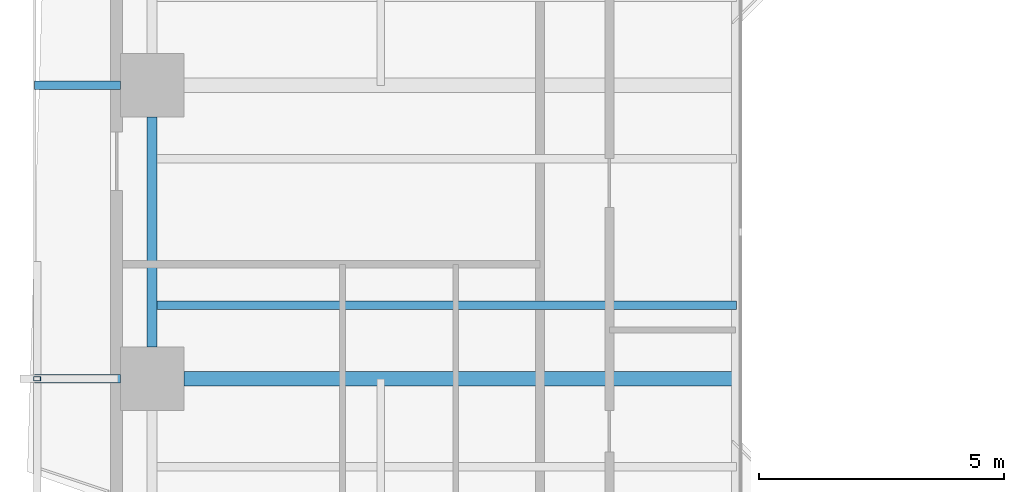
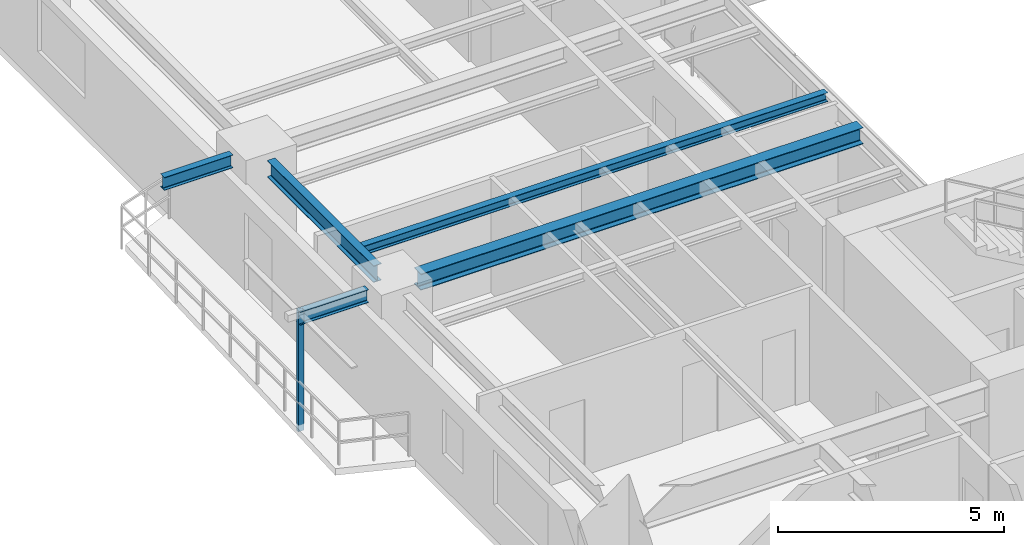
# One storey, part 3 of 23: 5 beams, 1 member.
"""IFC4 building model written with IfcOpenShell, lengths in metres."""

from ifc_helpers import new_model, si_unit, direction, frame, origin, origin_2d, place, context, subcontext, project, spatial, hollow_rectangle, i_section, extrude, source, transform, mapped, material, material_profile, profile_set, type_object, element, save


model = new_model("IFC4")

# Units and contexts
model_context = context("Model", 3, precision=1e-05, world=origin(), true_north=direction((0.0, 1.0)))
body_context = subcontext(model_context, "Body", "Model", "MODEL_VIEW")
ifc_project = project(units=[si_unit("LENGTHUNIT", "METRE"), si_unit("AREAUNIT", "SQUARE_METRE"), si_unit("VOLUMEUNIT", "CUBIC_METRE"), si_unit("PLANEANGLEUNIT", "RADIAN"), si_unit("MASSUNIT", "GRAM", prefix="KILO"), si_unit("THERMODYNAMICTEMPERATUREUNIT", "KELVIN"), si_unit("POWERUNIT", "WATT")], contexts=[model_context])

# Site, building, storey
site_placement = place(None, origin())
site = spatial("IfcSite", under=ifc_project, at=site_placement, CompositionType="ELEMENT")
building_placement = place(site_placement, origin())
building = spatial("IfcBuilding", under=site, at=building_placement, Name="Qiaomeng Ring Towers", CompositionType="ELEMENT")
storey_placement = place(building_placement, frame((0.0, 0.0, 29.5)))
storey = spatial("IfcBuildingStorey", under=building, at=storey_placement, Name="L07", CompositionType="ELEMENT", Elevation=29.5)

# Beams
ifc_material_1 = material(Name="Steel Q355B", Category="steel")
ifc_material_profile_1 = material_profile(ifc_material_1, i_section(OverallWidth=0.199951171875, OverallDepth=0.449951171875, WebThickness=0.009033203125, FlangeThickness=0.013916015625, FilletRadius=0.01806640625, at=origin_2d()), Name="HN 450x200x9x14")
ifc_profile_set_1 = profile_set([ifc_material_profile_1], Name="Steel Q355B")
beam_type_1 = type_object("IfcBeamType", Name="STR-BM-HN450", PredefinedType="SPANDREL", material=ifc_profile_set_1)
shared_shape_1 = source(origin(), body_context, "Body", "SweptSolid", [
    extrude(i_section(OverallWidth=0.199951171875, OverallDepth=0.449951171875, WebThickness=0.009033203125, FlangeThickness=0.013916015625, FilletRadius=0.01806640625, at=origin_2d()), origin(), (0.0, 0.0, 1.0), 4.7021484375),
])
beam_1_placement = place(storey_placement, frame((0.85009765625, 25.35107421875, 2.844970703125), z_axis=(0.0, -1.0, 0.0), x_axis=(1.0, 0.0, 0.0)))
element("IfcBeam", 1, at=beam_1_placement, inside=storey, type_object=beam_type_1, Name="L07 beam STR-SP-L07-T1-W3-W2", PredefinedType="SPANDREL", context=body_context, shape_type="MappedRepresentation", body=[
    mapped(shared_shape_1, transform((0.0, 0.0, 0.0), x_axis=(1.0, 0.0, 0.0), y_axis=(0.0, 1.0, 0.0), z_axis=(0.0, 0.0, 1.0), scale=1.0)),
])
ifc_material_profile_2 = material_profile(ifc_material_1, i_section(OverallWidth=0.300048828125, OverallDepth=0.43994140625, WebThickness=0.010986328125, FlangeThickness=0.01806640625, FilletRadius=0.02392578125, at=origin_2d()), Name="HM 440x300x11x18")
ifc_profile_set_2 = profile_set([ifc_material_profile_2], Name="Steel Q355B")
beam_type_2 = type_object("IfcBeamType", Name="STR-BM-HM440", PredefinedType="BEAM", material=ifc_profile_set_2)
shared_shape_2 = source(origin(), body_context, "Body", "SweptSolid", [
    extrude(i_section(OverallWidth=0.300048828125, OverallDepth=0.43994140625, WebThickness=0.010986328125, FlangeThickness=0.01806640625, FilletRadius=0.02392578125, at=origin_2d()), origin(), (0.0, 0.0, 1.0), 11.301025390625),
])
beam_2_placement = place(storey_placement, frame((1.4990234375, 20.0, 2.85009765625), z_axis=(1.0, 0.0, 0.0), x_axis=(0.0, 1.0, 0.0)))
element("IfcBeam", 2, at=beam_2_placement, inside=storey, type_object=beam_type_2, Name="L07 beam STR-BM-L07-T1-RAD-W2", PredefinedType="BEAM", context=body_context, shape_type="MappedRepresentation", body=[
    mapped(shared_shape_2, transform((0.0, 0.0, 0.0), x_axis=(1.0, 0.0, 0.0), y_axis=(0.0, 1.0, 0.0), z_axis=(0.0, 0.0, 1.0), scale=1.0)),
])
ifc_material_profile_3 = material_profile(ifc_material_1, i_section(OverallWidth=0.175048828125, OverallDepth=0.35009765625, WebThickness=0.007080078125, FlangeThickness=0.010986328125, FilletRadius=0.013916015625, at=origin_2d()), Name="HN 350x175x7x11")
ifc_profile_set_3 = profile_set([ifc_material_profile_3], Name="Steel Q355B")
beam_type_3 = type_object("IfcBeamType", Name="STR-BM-HN350", PredefinedType="JOIST", material=ifc_profile_set_3)
shared_shape_3 = source(origin(), body_context, "Body", "SweptSolid", [
    extrude(i_section(OverallWidth=0.175048828125, OverallDepth=0.35009765625, WebThickness=0.007080078125, FlangeThickness=0.010986328125, FilletRadius=0.013916015625, at=origin_2d()), origin(), (0.0, 0.0, 1.0), 1.7509765625),
])
for number, where, z_axis, x_axis, name in (
    (3, (-1.550048828125, 20.0, 2.89501953125), (1.0, 0.0, 0.0), (0.0, 1.0, 0.0), "L07 beam STR-BALBM-L07-W2"),
    (4, (-1.550048828125, 26.0, 2.89501953125), (1.0, 0.0, 0.0), (0.0, 1.0, 0.0), "L07 beam STR-BALBM-L07-W3"),
):
    element("IfcBeam", number, at=place(storey_placement, frame(where, z_axis=z_axis, x_axis=x_axis)), inside=storey, type_object=beam_type_3, Name=name, PredefinedType="JOIST", context=body_context, shape_type="MappedRepresentation", body=[
        mapped(shared_shape_3, transform((0.0, 0.0, 0.0), x_axis=(1.0, 0.0, 0.0), y_axis=(0.0, 1.0, 0.0), z_axis=(0.0, 0.0, 1.0), scale=1.0)),
    ])
ifc_material_profile_4 = material_profile(ifc_material_1, i_section(OverallWidth=0.175048828125, OverallDepth=0.243896484375, WebThickness=0.007080078125, FlangeThickness=0.010986328125, FilletRadius=0.01611328125, at=origin_2d()), Name="HM 244x175x7x11")
ifc_profile_set_4 = profile_set([ifc_material_profile_4], Name="Steel Q355B")
beam_type_4 = type_object("IfcBeamType", Name="STR-BM-HM244", PredefinedType="JOIST", material=ifc_profile_set_4)
shared_shape_4 = source(origin(), body_context, "Body", "SweptSolid", [
    extrude(i_section(OverallWidth=0.175048828125, OverallDepth=0.243896484375, WebThickness=0.007080078125, FlangeThickness=0.010986328125, FilletRadius=0.01611328125, at=origin_2d()), origin(), (0.0, 0.0, 1.0), 11.949951171875),
])
beam_3_placement = place(storey_placement, frame((0.85009765625, 21.5, 2.947998046875), z_axis=(1.0, 0.0, 0.0), x_axis=(0.0, 1.0, 0.0)))
element("IfcBeam", 5, at=beam_3_placement, inside=storey, type_object=beam_type_4, Name="L07 beam STR-JST-L07-T1W-2", PredefinedType="JOIST", context=body_context, shape_type="MappedRepresentation", body=[
    mapped(shared_shape_4, transform((0.0, 0.0, 0.0), x_axis=(1.0, 0.0, 0.0), y_axis=(0.0, 1.0, 0.0), z_axis=(0.0, 0.0, 1.0), scale=1.0)),
])

# Member
ifc_material_2 = material(Name="Stainless steel 316", Category="steel")
ifc_material_profile_5 = material_profile(ifc_material_2, hollow_rectangle(XDim=0.090087890625, YDim=0.139892578125, WallThickness=0.0048828125, at=origin_2d()), Name="SS TRELLIS 90x140")
ifc_profile_set_5 = profile_set([ifc_material_profile_5], Name="Stainless steel 316")
member_type = type_object("IfcMemberType", Name="ARC-TR-POST1", PredefinedType="STUD", material=ifc_profile_set_5)
shared_shape_5 = source(origin(), body_context, "Body", "SweptSolid", [
    extrude(hollow_rectangle(XDim=0.090087890625, YDim=0.139892578125, WallThickness=0.0048828125, at=origin_2d()), origin(), (0.0, 0.0, 1.0), 3.25),
])
member_placement = place(storey_placement, frame((-1.5, 20.0, -0.179931640625), z_axis=(0.0, 0.0, 1.0), x_axis=(0.0, 1.0, 0.0)))
element("IfcMember", 6, at=member_placement, inside=storey, type_object=member_type, Name="L07 Outer Ventilated Trellis Post W", PredefinedType="STUD", context=body_context, shape_type="MappedRepresentation", body=[
    mapped(shared_shape_5, transform((0.0, 0.0, 0.0), x_axis=(1.0, 0.0, 0.0), y_axis=(0.0, 1.0, 0.0), z_axis=(0.0, 0.0, 1.0), scale=1.0)),
])

save(model, "model.ifc")
